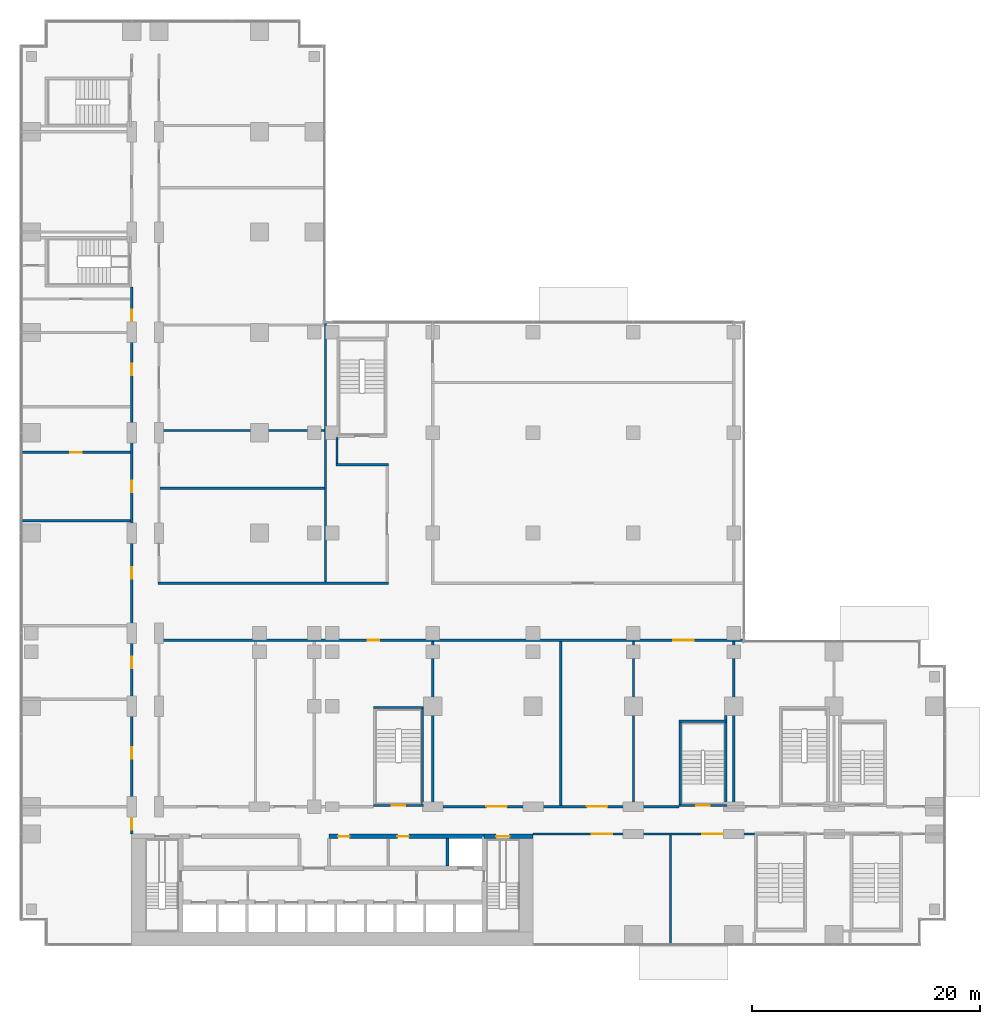
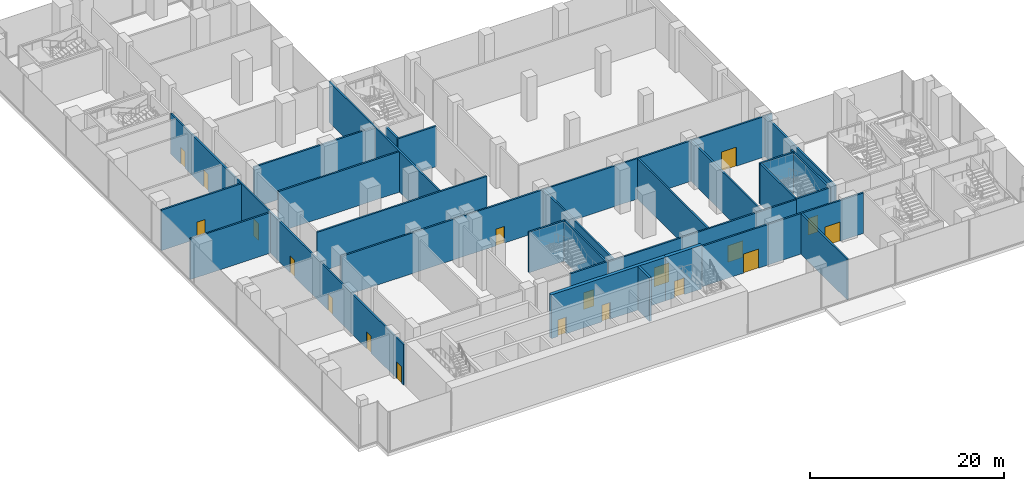
# One storey, part 19 of 30: 27 walls, 19 doors, 19 openings.
"""IFC4 building model written with IfcOpenShell, lengths in metres."""

from ifc_helpers import new_model, si_unit, direction, frame, frame_2d, origin, place, context, subcontext, project, spatial, rectangle, extrude, material, layer, layer_set, type_object, element, fill, save


model = new_model("IFC4")

# Units and contexts
model_context = context("Model", 3, precision=1e-05, world=origin(), true_north=direction((0.0, 1.0)))
body_context = subcontext(model_context, "Body", "Model", "MODEL_VIEW")
ifc_project = project(units=[si_unit("LENGTHUNIT", "METRE"), si_unit("AREAUNIT", "SQUARE_METRE"), si_unit("VOLUMEUNIT", "CUBIC_METRE"), si_unit("PLANEANGLEUNIT", "RADIAN"), si_unit("MASSUNIT", "GRAM", prefix="KILO")], contexts=[model_context])

# Site, building, storey
site_placement = place(None, origin())
site = spatial("IfcSite", under=ifc_project, at=site_placement, CompositionType="ELEMENT")
building_placement = place(site_placement, origin())
building = spatial("IfcBuilding", under=site, at=building_placement, Name="Kemantara Hotel Tower", CompositionType="ELEMENT")
storey_placement = place(building_placement, frame((0.0, 0.0, 7.5)))
storey = spatial("IfcBuildingStorey", under=building, at=storey_placement, Name="L01", CompositionType="ELEMENT", Elevation=7.5)

# Wall
ifc_material_1 = material(Name="Concrete fc 70 MPa", Category="concrete")
ifc_layer_1 = layer(ifc_material_1, 0.25)
ifc_layer_set_1 = layer_set([ifc_layer_1], Name="Concrete fc 70 MPa")
wall_type_1 = type_object("IfcWallType", Name="CORE WALL 250 FC70", PredefinedType="SHEAR", material=ifc_layer_set_1)
wall_1_placement = place(storey_placement, frame((37.5, 7.0, 0.0), z_axis=(0.0, 0.0, 1.0), x_axis=(0.0, 1.0, 0.0)))
element("IfcWall", 1, at=wall_1_placement, inside=storey, type_object=wall_type_1, Name="CORE WALL CW-DN37.5", PredefinedType="SHEAR", context=body_context, shape_type="SweptSolid", body=[
    extrude(rectangle(XDim=2.39990234375, YDim=0.25, at=frame_2d((1.199951171875, 0.0))), origin(), (0.0, 0.0, 1.0), 5.5),
])

# Wall, opening, door
ifc_layer_2 = layer(ifc_material_1, 0.39990234375)
ifc_layer_set_2 = layer_set([ifc_layer_2], Name="Concrete fc 70 MPa")
wall_type_2 = type_object("IfcWallType", Name="CORE WALL 400 FC70", PredefinedType="SHEAR", material=ifc_layer_set_2)
wall_2_placement = place(storey_placement, frame((40.699951171875, 9.60009765625, 0.0), z_axis=(0.0, 0.0, 1.0), x_axis=(1.0, 0.0, 0.0)))
wall_2 = element("IfcWall", 2, at=wall_2_placement, inside=storey, type_object=wall_type_2, Name="CORE WALL CW-N2", PredefinedType="SHEAR", context=body_context, shape_type="SweptSolid", body=[
    extrude(rectangle(XDim=4.300048828125, YDim=0.39990234375, at=frame_2d((2.14990234375, 0.0))), origin(), (0.0, 0.0, 1.0), 5.5),
])
opening_1_placement = place(wall_2_placement, frame((1.050048828125, 0.0, 0.0)))
opening_1 = element("IfcOpeningElement", 3, at=opening_1_placement, cuts=wall_2, Name="Opening C04-ST2-C", PredefinedType="OPENING", context=body_context, shape_type="SweptSolid", body=[
    extrude(rectangle(XDim=1.199951171875, YDim=2.10009765625, at=frame_2d((0.60009765625, 1.050048828125))), frame((0.0, 0.2099609375, 0.0), z_axis=(0.0, -1.0, 0.0), x_axis=(1.0, 0.0, 0.0)), (0.0, 0.0, 1.0), 0.419921875),
])
ifc_material_2 = material(Name="Steel fire door", Category="steel")
door_type_1 = type_object("IfcDoorType", Name="Fire door FD90 1200 x 2100", OperationType="NOTDEFINED", PredefinedType="DOOR", material=ifc_material_2)
door_1_placement = place(opening_1_placement, frame((1.199951171875, 0.0, 0.0), z_axis=(0.0, 0.0, 1.0), x_axis=(-1.0, 0.0, 0.0)))
door_1 = element("IfcDoor", 4, at=door_1_placement, inside=storey, type_object=door_type_1, Name="Stair ST2 door to corridor", OperationType="SINGLE_SWING_RIGHT", OverallHeight=2.10009765625, OverallWidth=1.199951171875, PredefinedType="DOOR", context=body_context, shape_type="SweptSolid", body=[
    extrude(rectangle(XDim=1.199951171875, YDim=2.10009765625, at=frame_2d((0.60009765625, 1.050048828125))), frame((0.0, 0.02490234375, 0.0), z_axis=(0.0, -1.0, 0.0), x_axis=(1.0, 0.0, 0.0)), (0.0, 0.0, 1.0), 0.050048828125),
])
fill(opening_1, door_1)

# Wall, openings, doors
wall_3_placement = place(storey_placement, frame((27.10009765625, 9.60009765625, 0.0), z_axis=(0.0, 0.0, 1.0), x_axis=(1.0, 0.0, 0.0)))
wall_3 = element("IfcWall", 5, at=wall_3_placement, inside=storey, type_object=wall_type_2, Name="CORE WALL CW-NN2", PredefinedType="SHEAR", context=body_context, shape_type="SweptSolid", body=[
    extrude(rectangle(XDim=13.599853515625, YDim=0.39990234375, at=frame_2d((6.7998046875, 0.0))), origin(), (0.0, 0.0, 1.0), 5.5),
])
opening_2_placement = place(wall_3_placement, frame((0.800048828125, 0.0, 0.0)))
opening_2 = element("IfcOpeningElement", 6, at=opening_2_placement, cuts=wall_3, Name="Opening C04-R-NE1", PredefinedType="OPENING", context=body_context, shape_type="SweptSolid", body=[
    extrude(rectangle(XDim=1.0, YDim=2.10009765625, at=frame_2d((0.5, 1.050048828125))), frame((0.0, 0.2099609375, 0.0), z_axis=(0.0, -1.0, 0.0), x_axis=(1.0, 0.0, 0.0)), (0.0, 0.0, 1.0), 0.419921875),
])
opening_3_placement = place(wall_3_placement, frame((6.0, 0.0, 0.0)))
opening_3 = element("IfcOpeningElement", 7, at=opening_3_placement, cuts=wall_3, Name="Opening C04-R-NE2", PredefinedType="OPENING", context=body_context, shape_type="SweptSolid", body=[
    extrude(rectangle(XDim=1.0, YDim=2.10009765625, at=frame_2d((0.5, 1.050048828125))), frame((0.0, 0.2099609375, 0.0), z_axis=(0.0, -1.0, 0.0), x_axis=(1.0, 0.0, 0.0)), (0.0, 0.0, 1.0), 0.419921875),
])
door_type_2 = type_object("IfcDoorType", Name="Fire door FD30S 1000 x 2100", OperationType="NOTDEFINED", PredefinedType="DOOR", material=ifc_material_2)
door_2_placement = place(opening_2_placement, frame((1.0, 0.0, 0.0), z_axis=(0.0, 0.0, 1.0), x_axis=(-1.0, 0.0, 0.0)))
door_2 = element("IfcDoor", 8, at=door_2_placement, inside=storey, type_object=door_type_2, Name="Staff Lounge door", OperationType="SINGLE_SWING_RIGHT", OverallHeight=2.10009765625, OverallWidth=1.0, PredefinedType="DOOR", context=body_context, shape_type="SweptSolid", body=[
    extrude(rectangle(XDim=1.0, YDim=2.10009765625, at=frame_2d((0.5, 1.050048828125))), frame((0.0, 0.02490234375, 0.0), z_axis=(0.0, -1.0, 0.0), x_axis=(1.0, 0.0, 0.0)), (0.0, 0.0, 1.0), 0.050048828125),
])
fill(opening_2, door_2)
door_type_3 = type_object("IfcDoorType", Name="Fire door FD60 1000 x 2100", OperationType="NOTDEFINED", PredefinedType="DOOR", material=ifc_material_2)
door_3_placement = place(opening_3_placement, frame((1.0, 0.0, 0.0), z_axis=(0.0, 0.0, 1.0), x_axis=(-1.0, 0.0, 0.0)))
door_3 = element("IfcDoor", 9, at=door_3_placement, inside=storey, type_object=door_type_3, Name="It Equipment Room door", OperationType="SINGLE_SWING_RIGHT", OverallHeight=2.10009765625, OverallWidth=1.0, PredefinedType="DOOR", context=body_context, shape_type="SweptSolid", body=[
    extrude(rectangle(XDim=1.0, YDim=2.10009765625, at=frame_2d((0.5, 1.050048828125))), frame((0.0, 0.02490234375, 0.0), z_axis=(0.0, -1.0, 0.0), x_axis=(1.0, 0.0, 0.0)), (0.0, 0.0, 1.0), 0.050048828125),
])
fill(opening_3, door_3)

# Wall, opening, door
ifc_material_3 = material(Name="Concrete fc 40 MPa", Category="concrete")
ifc_layer_3 = layer(ifc_material_3, 0.199951171875)
ifc_layer_set_3 = layer_set([ifc_layer_3], Name="Concrete fc 40 MPa")
wall_type_3 = type_object("IfcWallType", Name="Concrete stair wall 200 mm", PredefinedType="SHEAR", material=ifc_layer_set_3)
wall_4_placement = place(storey_placement, frame((57.800048828125, 12.300048828125, 0.0), z_axis=(0.0, 0.0, 1.0), x_axis=(1.0, 0.0, 0.0)))
wall_4 = element("IfcWall", 10, at=wall_4_placement, inside=storey, type_object=wall_type_3, Name="Stair ST3 enclosure wall with door", PredefinedType="SHEAR", context=body_context, shape_type="SweptSolid", body=[
    extrude(rectangle(XDim=4.199951171875, YDim=0.199951171875, at=frame_2d((2.10009765625, 0.0))), origin(), (0.0, 0.0, 1.0), 5.10009765625),
])
opening_4_placement = place(wall_4_placement, frame((1.5, 0.0, 0.0)))
opening_4 = element("IfcOpeningElement", 11, at=opening_4_placement, cuts=wall_4, Name="Opening ST3-C", PredefinedType="OPENING", context=body_context, shape_type="SweptSolid", body=[
    extrude(rectangle(XDim=1.199951171875, YDim=2.10009765625, at=frame_2d((0.60009765625, 1.050048828125))), frame((0.0, 0.10986328125, 0.0), z_axis=(0.0, -1.0, 0.0), x_axis=(1.0, 0.0, 0.0)), (0.0, 0.0, 1.0), 0.219970703125),
])
door_4_placement = place(opening_4_placement, origin())
door_4 = element("IfcDoor", 12, at=door_4_placement, inside=storey, type_object=door_type_1, Name="Stair ST3 door", OperationType="SINGLE_SWING_RIGHT", OverallHeight=2.10009765625, OverallWidth=1.199951171875, PredefinedType="DOOR", context=body_context, shape_type="SweptSolid", body=[
    extrude(rectangle(XDim=1.199951171875, YDim=2.10009765625, at=frame_2d((0.60009765625, 1.050048828125))), frame((0.0, 0.02490234375, 0.0), z_axis=(0.0, -1.0, 0.0), x_axis=(1.0, 0.0, 0.0)), (0.0, 0.0, 1.0), 0.050048828125),
])
fill(opening_4, door_4)

# Walls
wall_5_placement = place(storey_placement, frame((57.800048828125, 19.699951171875, 0.0), z_axis=(0.0, 0.0, 1.0), x_axis=(1.0, 0.0, 0.0)))
element("IfcWall", 13, at=wall_5_placement, inside=storey, type_object=wall_type_3, Name="Stair ST3 enclosure wall N", PredefinedType="SHEAR", context=body_context, shape_type="SweptSolid", body=[
    extrude(rectangle(XDim=4.199951171875, YDim=0.199951171875, at=frame_2d((2.10009765625, 0.0))), origin(), (0.0, 0.0, 1.0), 5.10009765625),
])
wall_6_placement = place(storey_placement, frame((57.89990234375, 12.39990234375, 0.0), z_axis=(0.0, 0.0, 1.0), x_axis=(0.0, 1.0, 0.0)))
element("IfcWall", 14, at=wall_6_placement, inside=storey, type_object=wall_type_3, Name="Stair ST3 enclosure wall W", PredefinedType="SHEAR", context=body_context, shape_type="SweptSolid", body=[
    extrude(rectangle(XDim=7.2001953125, YDim=0.199951171875, at=frame_2d((3.60009765625, 0.0))), origin(), (0.0, 0.0, 1.0), 5.10009765625),
])
wall_7_placement = place(storey_placement, frame((61.89990234375, 12.39990234375, 0.0), z_axis=(0.0, 0.0, 1.0), x_axis=(0.0, 1.0, 0.0)))
element("IfcWall", 15, at=wall_7_placement, inside=storey, type_object=wall_type_3, Name="Stair ST3 enclosure wall E", PredefinedType="SHEAR", context=body_context, shape_type="SweptSolid", body=[
    extrude(rectangle(XDim=7.800048828125, YDim=0.199951171875, at=frame_2d((3.89990234375, 0.0))), origin(), (0.0, 0.0, 1.0), 5.10009765625),
])

# Wall, opening, door
wall_8_placement = place(storey_placement, frame((31.0, 12.300048828125, 0.0), z_axis=(0.0, 0.0, 1.0), x_axis=(1.0, 0.0, 0.0)))
wall_8 = element("IfcWall", 16, at=wall_8_placement, inside=storey, type_object=wall_type_3, Name="Stair PS3 enclosure wall with door", PredefinedType="SHEAR", context=body_context, shape_type="SweptSolid", body=[
    extrude(rectangle(XDim=4.39990234375, YDim=0.199951171875, at=frame_2d((2.199951171875, 0.0))), origin(), (0.0, 0.0, 1.0), 5.10009765625),
])
opening_5_placement = place(wall_8_placement, frame((1.60009765625, 0.0, 0.0)))
opening_5 = element("IfcOpeningElement", 17, at=opening_5_placement, cuts=wall_8, Name="Opening PS3-C", PredefinedType="OPENING", context=body_context, shape_type="SweptSolid", body=[
    extrude(rectangle(XDim=1.199951171875, YDim=2.10009765625, at=frame_2d((0.60009765625, 1.050048828125))), frame((0.0, 0.10986328125, 0.0), z_axis=(0.0, -1.0, 0.0), x_axis=(1.0, 0.0, 0.0)), (0.0, 0.0, 1.0), 0.219970703125),
])
door_5_placement = place(opening_5_placement, origin())
door_5 = element("IfcDoor", 18, at=door_5_placement, inside=storey, type_object=door_type_1, Name="Stair PS3 door", OperationType="SINGLE_SWING_LEFT", OverallHeight=2.10009765625, OverallWidth=1.199951171875, PredefinedType="DOOR", context=body_context, shape_type="SweptSolid", body=[
    extrude(rectangle(XDim=1.199951171875, YDim=2.10009765625, at=frame_2d((0.60009765625, 1.050048828125))), frame((0.0, 0.02490234375, 0.0), z_axis=(0.0, -1.0, 0.0), x_axis=(1.0, 0.0, 0.0)), (0.0, 0.0, 1.0), 0.050048828125),
])
fill(opening_5, door_5)

# Walls
wall_9_placement = place(storey_placement, frame((31.0, 20.89990234375, 0.0), z_axis=(0.0, 0.0, 1.0), x_axis=(1.0, 0.0, 0.0)))
element("IfcWall", 19, at=wall_9_placement, inside=storey, type_object=wall_type_3, Name="Stair PS3 enclosure wall N", PredefinedType="SHEAR", context=body_context, shape_type="SweptSolid", body=[
    extrude(rectangle(XDim=4.39990234375, YDim=0.199951171875, at=frame_2d((2.199951171875, 0.0))), origin(), (0.0, 0.0, 1.0), 5.10009765625),
])
wall_10_placement = place(storey_placement, frame((35.300048828125, 12.39990234375, 0.0), z_axis=(0.0, 0.0, 1.0), x_axis=(0.0, 1.0, 0.0)))
element("IfcWall", 20, at=wall_10_placement, inside=storey, type_object=wall_type_3, Name="Stair PS3 enclosure wall E", PredefinedType="SHEAR", context=body_context, shape_type="SweptSolid", body=[
    extrude(rectangle(XDim=8.400146484375, YDim=0.199951171875, at=frame_2d((4.2001953125, 0.0))), origin(), (0.0, 0.0, 1.0), 5.10009765625),
])

# Wall, openings, doors
ifc_material_4 = material(Name="Fire-rated gypsum board partition")
ifc_layer_4 = layer(ifc_material_4, 0.199951171875)
ifc_layer_set_4 = layer_set([ifc_layer_4], Name="Fire-rated gypsum board partition")
wall_type_4 = type_object("IfcWallType", Name="FIRE-RATED GYPSUM PARTITION 200 EI 60", PredefinedType="PARTITIONING", material=ifc_layer_set_4)
wall_11_placement = place(storey_placement, frame((45.0, 9.800048828125, 0.0), z_axis=(0.0, 0.0, 1.0), x_axis=(1.0, 0.0, 0.0)))
wall_11 = element("IfcWall", 21, at=wall_11_placement, inside=storey, type_object=wall_type_4, Name="FIRE-RATED PARTITION", PredefinedType="PARTITIONING", context=body_context, shape_type="SweptSolid", body=[
    extrude(rectangle(XDim=19.39990234375, YDim=0.199951171875, at=frame_2d((9.699951171875, 0.0))), origin(), (0.0, 0.0, 1.0), 5.10009765625),
])
opening_6_placement = place(wall_11_placement, frame((5.1298828125, 0.0, 0.0)))
opening_6 = element("IfcOpeningElement", 22, at=opening_6_placement, cuts=wall_11, Name="Opening L01-B004", PredefinedType="OPENING", context=body_context, shape_type="SweptSolid", body=[
    extrude(rectangle(XDim=1.800048828125, YDim=2.39990234375, at=frame_2d((0.89990234375, 1.199951171875))), frame((0.0, 0.10986328125, 0.0), z_axis=(0.0, -1.0, 0.0), x_axis=(1.0, 0.0, 0.0)), (0.0, 0.0, 1.0), 0.219970703125),
])
opening_7_placement = place(wall_11_placement, frame((14.830078125, 0.0, 0.0)))
opening_7 = element("IfcOpeningElement", 23, at=opening_7_placement, cuts=wall_11, Name="Opening L01-B005", PredefinedType="OPENING", context=body_context, shape_type="SweptSolid", body=[
    extrude(rectangle(XDim=1.800048828125, YDim=2.39990234375, at=frame_2d((0.89990234375, 1.199951171875))), frame((0.0, 0.10986328125, 0.0), z_axis=(0.0, -1.0, 0.0), x_axis=(1.0, 0.0, 0.0)), (0.0, 0.0, 1.0), 0.219970703125),
])
ifc_material_5 = material(Name="Toughened glass door leaf", Category="glass")
door_type_4 = type_object("IfcDoorType", Name="GLAZED DOUBLE DOOR 1800 X 2400", OperationType="DOUBLE_DOOR_SINGLE_SWING", PredefinedType="DOOR", material=ifc_material_5)
door_6_placement = place(opening_6_placement, origin())
door_6 = element("IfcDoor", 24, at=door_6_placement, inside=storey, type_object=door_type_4, Name="GLAZED DOUBLE DOOR", OperationType="DOUBLE_DOOR_SINGLE_SWING", OverallHeight=2.39990234375, OverallWidth=1.800048828125, PredefinedType="DOOR", context=body_context, shape_type="SweptSolid", body=[
    extrude(rectangle(XDim=1.800048828125, YDim=2.39990234375, at=frame_2d((0.89990234375, 1.199951171875))), frame((0.0, 0.02490234375, 0.0), z_axis=(0.0, -1.0, 0.0), x_axis=(1.0, 0.0, 0.0)), (0.0, 0.0, 1.0), 0.050048828125),
])
fill(opening_6, door_6)
door_7_placement = place(opening_7_placement, origin())
door_7 = element("IfcDoor", 25, at=door_7_placement, inside=storey, type_object=door_type_4, Name="GLAZED DOUBLE DOOR", OperationType="DOUBLE_DOOR_SINGLE_SWING", OverallHeight=2.39990234375, OverallWidth=1.800048828125, PredefinedType="DOOR", context=body_context, shape_type="SweptSolid", body=[
    extrude(rectangle(XDim=1.800048828125, YDim=2.39990234375, at=frame_2d((0.89990234375, 1.199951171875))), frame((0.0, 0.02490234375, 0.0), z_axis=(0.0, -1.0, 0.0), x_axis=(1.0, 0.0, 0.0)), (0.0, 0.0, 1.0), 0.050048828125),
])
fill(opening_7, door_7)

wall_12_placement = place(storey_placement, frame((35.39990234375, 12.199951171875, 0.0), z_axis=(0.0, 0.0, 1.0), x_axis=(1.0, 0.0, 0.0)))
wall_12 = element("IfcWall", 26, at=wall_12_placement, inside=storey, type_object=wall_type_4, Name="FIRE-RATED PARTITION", PredefinedType="PARTITIONING", context=body_context, shape_type="SweptSolid", body=[
    extrude(rectangle(XDim=22.400146484375, YDim=0.199951171875, at=frame_2d((11.2001953125, 0.0))), origin(), (0.0, 0.0, 1.0), 5.10009765625),
])
opening_8_placement = place(wall_12_placement, frame((5.510009765625, 0.0, 0.0)))
opening_8 = element("IfcOpeningElement", 27, at=opening_8_placement, cuts=wall_12, Name="Opening L01-B026", PredefinedType="OPENING", context=body_context, shape_type="SweptSolid", body=[
    extrude(rectangle(XDim=1.800048828125, YDim=2.39990234375, at=frame_2d((0.89990234375, 1.199951171875))), frame((0.0, 0.10986328125, 0.0), z_axis=(0.0, -1.0, 0.0), x_axis=(1.0, 0.0, 0.0)), (0.0, 0.0, 1.0), 0.219970703125),
])
opening_9_placement = place(wall_12_placement, frame((14.31005859375, 0.0, 0.0)))
opening_9 = element("IfcOpeningElement", 28, at=opening_9_placement, cuts=wall_12, Name="Opening L01-B027", PredefinedType="OPENING", context=body_context, shape_type="SweptSolid", body=[
    extrude(rectangle(XDim=1.800048828125, YDim=2.10009765625, at=frame_2d((0.89990234375, 1.050048828125))), frame((0.0, 0.10986328125, 0.0), z_axis=(0.0, -1.0, 0.0), x_axis=(1.0, 0.0, 0.0)), (0.0, 0.0, 1.0), 0.219970703125),
])
ifc_material_6 = material(Name="Timber veneer door leaf", Category="wood")
door_type_5 = type_object("IfcDoorType", Name="DOUBLE LEAF TIMBER DOOR 1800 X 2100", OperationType="DOUBLE_DOOR_SINGLE_SWING", PredefinedType="DOOR", material=ifc_material_6)
door_8_placement = place(opening_9_placement, frame((1.800048828125, 0.0, 0.0), z_axis=(0.0, 0.0, 1.0), x_axis=(-1.0, 0.0, 0.0)))
door_8 = element("IfcDoor", 29, at=door_8_placement, inside=storey, type_object=door_type_5, Name="DOUBLE LEAF TIMBER DOOR", OperationType="DOUBLE_DOOR_SINGLE_SWING", OverallHeight=2.10009765625, OverallWidth=1.800048828125, PredefinedType="DOOR", context=body_context, shape_type="SweptSolid", body=[
    extrude(rectangle(XDim=1.800048828125, YDim=2.10009765625, at=frame_2d((0.89990234375, 1.050048828125))), frame((0.0, 0.02490234375, 0.0), z_axis=(0.0, -1.0, 0.0), x_axis=(1.0, 0.0, 0.0)), (0.0, 0.0, 1.0), 0.050048828125),
])
fill(opening_9, door_8)
door_9_placement = place(opening_8_placement, frame((1.800048828125, 0.0, 0.0), z_axis=(0.0, 0.0, 1.0), x_axis=(-1.0, 0.0, 0.0)))
door_9 = element("IfcDoor", 30, at=door_9_placement, inside=storey, type_object=door_type_4, Name="GLAZED DOUBLE DOOR", OperationType="DOUBLE_DOOR_SINGLE_SWING", OverallHeight=2.39990234375, OverallWidth=1.800048828125, PredefinedType="DOOR", context=body_context, shape_type="SweptSolid", body=[
    extrude(rectangle(XDim=1.800048828125, YDim=2.39990234375, at=frame_2d((0.89990234375, 1.199951171875))), frame((0.0, 0.02490234375, 0.0), z_axis=(0.0, -1.0, 0.0), x_axis=(1.0, 0.0, 0.0)), (0.0, 0.0, 1.0), 0.050048828125),
])
fill(opening_8, door_9)

wall_13_placement = place(storey_placement, frame((9.800048828125, 9.800048828125, 0.0), z_axis=(0.0, 0.0, 1.0), x_axis=(0.0, 1.0, 0.0)))
wall_13 = element("IfcWall", 31, at=wall_13_placement, inside=storey, type_object=wall_type_4, Name="FIRE-RATED PARTITION", PredefinedType="PARTITIONING", context=body_context, shape_type="SweptSolid", body=[
    extrude(rectangle(XDim=48.0, YDim=0.199951171875, at=frame_2d((24.0, 0.0))), origin(), (0.0, 0.0, 1.0), 5.10009765625),
])
opening_10_placement = place(wall_13_placement, frame((6.610107421875, 0.0, 0.0)))
opening_10 = element("IfcOpeningElement", 32, at=opening_10_placement, cuts=wall_13, Name="Opening L01-B008", PredefinedType="OPENING", context=body_context, shape_type="SweptSolid", body=[
    extrude(rectangle(XDim=1.0, YDim=2.10009765625, at=frame_2d((0.5, 1.050048828125))), frame((0.0, 0.10986328125, 0.0), z_axis=(0.0, -1.0, 0.0), x_axis=(1.0, 0.0, 0.0)), (0.0, 0.0, 1.0), 0.219970703125),
])
opening_11_placement = place(wall_13_placement, frame((14.544921875, 0.0, 0.0)))
opening_11 = element("IfcOpeningElement", 33, at=opening_11_placement, cuts=wall_13, Name="Opening L01-B009", PredefinedType="OPENING", context=body_context, shape_type="SweptSolid", body=[
    extrude(rectangle(XDim=1.0, YDim=2.10009765625, at=frame_2d((0.5, 1.050048828125))), frame((0.0, 0.10986328125, 0.0), z_axis=(0.0, -1.0, 0.0), x_axis=(1.0, 0.0, 0.0)), (0.0, 0.0, 1.0), 0.219970703125),
])
opening_12_placement = place(wall_13_placement, frame((22.3798828125, 0.0, 0.0)))
opening_12 = element("IfcOpeningElement", 34, at=opening_12_placement, cuts=wall_13, Name="Opening L01-B010", PredefinedType="OPENING", context=body_context, shape_type="SweptSolid", body=[
    extrude(rectangle(XDim=1.0, YDim=2.10009765625, at=frame_2d((0.5, 1.050048828125))), frame((0.0, 0.10986328125, 0.0), z_axis=(0.0, -1.0, 0.0), x_axis=(1.0, 0.0, 0.0)), (0.0, 0.0, 1.0), 0.219970703125),
])
opening_13_placement = place(wall_13_placement, frame((29.98388671875, 0.0, 0.0)))
opening_13 = element("IfcOpeningElement", 35, at=opening_13_placement, cuts=wall_13, Name="Opening L01-B011", PredefinedType="OPENING", context=body_context, shape_type="SweptSolid", body=[
    extrude(rectangle(XDim=1.0, YDim=2.10009765625, at=frame_2d((0.5, 1.050048828125))), frame((0.0, 0.10986328125, 0.0), z_axis=(0.0, -1.0, 0.0), x_axis=(1.0, 0.0, 0.0)), (0.0, 0.0, 1.0), 0.219970703125),
])
opening_14_placement = place(wall_13_placement, frame((40.235107421875, 0.0, 0.0)))
opening_14 = element("IfcOpeningElement", 36, at=opening_14_placement, cuts=wall_13, Name="Opening L01-B012", PredefinedType="OPENING", context=body_context, shape_type="SweptSolid", body=[
    extrude(rectangle(XDim=1.0, YDim=2.10009765625, at=frame_2d((0.5, 1.050048828125))), frame((0.0, 0.10986328125, 0.0), z_axis=(0.0, -1.0, 0.0), x_axis=(1.0, 0.0, 0.0)), (0.0, 0.0, 1.0), 0.219970703125),
])
opening_15_placement = place(wall_13_placement, frame((44.966796875, 0.0, 0.0)))
opening_15 = element("IfcOpeningElement", 37, at=opening_15_placement, cuts=wall_13, Name="Opening L01-B013", PredefinedType="OPENING", context=body_context, shape_type="SweptSolid", body=[
    extrude(rectangle(XDim=1.0, YDim=2.10009765625, at=frame_2d((0.5, 1.050048828125))), frame((0.0, 0.10986328125, 0.0), z_axis=(0.0, -1.0, 0.0), x_axis=(1.0, 0.0, 0.0)), (0.0, 0.0, 1.0), 0.219970703125),
])
opening_16_placement = place(wall_13_placement, frame((0.39990234375, 0.0, 0.0)))
opening_16 = element("IfcOpeningElement", 38, at=opening_16_placement, cuts=wall_13, Name="Opening L01-B022", PredefinedType="OPENING", context=body_context, shape_type="SweptSolid", body=[
    extrude(rectangle(XDim=1.0, YDim=2.10009765625, at=frame_2d((0.5, 1.050048828125))), frame((0.0, 0.10986328125, 0.0), z_axis=(0.0, -1.0, 0.0), x_axis=(1.0, 0.0, 0.0)), (0.0, 0.0, 1.0), 0.219970703125),
])
ifc_material_7 = material(Name="Galvanised steel door leaf", Category="steel")
door_type_6 = type_object("IfcDoorType", Name="FIRE-RATED STEEL DOOR 1000 X 2100", OperationType="SINGLE_SWING_LEFT", PredefinedType="DOOR", material=ifc_material_7)
door_10_placement = place(opening_16_placement, frame((1.0, 0.0, 0.0), z_axis=(0.0, 0.0, 1.0), x_axis=(-1.0, 0.0, 0.0)))
door_10 = element("IfcDoor", 39, at=door_10_placement, inside=storey, type_object=door_type_6, Name="FIRE-RATED STEEL DOOR", OperationType="SINGLE_SWING_RIGHT", OverallHeight=2.10009765625, OverallWidth=1.0, PredefinedType="DOOR", context=body_context, shape_type="SweptSolid", body=[
    extrude(rectangle(XDim=1.0, YDim=2.10009765625, at=frame_2d((0.5, 1.050048828125))), frame((0.0, 0.02490234375, 0.0), z_axis=(0.0, -1.0, 0.0), x_axis=(1.0, 0.0, 0.0)), (0.0, 0.0, 1.0), 0.050048828125),
])
fill(opening_16, door_10)
door_type_7 = type_object("IfcDoorType", Name="SINGLE LEAF TIMBER DOOR 1000 X 2100", OperationType="SINGLE_SWING_LEFT", PredefinedType="DOOR", material=ifc_material_6)
door_11_placement = place(opening_10_placement, origin())
door_11 = element("IfcDoor", 40, at=door_11_placement, inside=storey, type_object=door_type_7, Name="SINGLE LEAF TIMBER DOOR", OperationType="SINGLE_SWING_LEFT", OverallHeight=2.10009765625, OverallWidth=1.0, PredefinedType="DOOR", context=body_context, shape_type="SweptSolid", body=[
    extrude(rectangle(XDim=1.0, YDim=2.10009765625, at=frame_2d((0.5, 1.050048828125))), frame((0.0, 0.02490234375, 0.0), z_axis=(0.0, -1.0, 0.0), x_axis=(1.0, 0.0, 0.0)), (0.0, 0.0, 1.0), 0.050048828125),
])
fill(opening_10, door_11)
door_12_placement = place(opening_11_placement, origin())
door_12 = element("IfcDoor", 41, at=door_12_placement, inside=storey, type_object=door_type_7, Name="SINGLE LEAF TIMBER DOOR", OperationType="SINGLE_SWING_LEFT", OverallHeight=2.10009765625, OverallWidth=1.0, PredefinedType="DOOR", context=body_context, shape_type="SweptSolid", body=[
    extrude(rectangle(XDim=1.0, YDim=2.10009765625, at=frame_2d((0.5, 1.050048828125))), frame((0.0, 0.02490234375, 0.0), z_axis=(0.0, -1.0, 0.0), x_axis=(1.0, 0.0, 0.0)), (0.0, 0.0, 1.0), 0.050048828125),
])
fill(opening_11, door_12)
door_13_placement = place(opening_12_placement, origin())
door_13 = element("IfcDoor", 42, at=door_13_placement, inside=storey, type_object=door_type_7, Name="SINGLE LEAF TIMBER DOOR", OperationType="SINGLE_SWING_LEFT", OverallHeight=2.10009765625, OverallWidth=1.0, PredefinedType="DOOR", context=body_context, shape_type="SweptSolid", body=[
    extrude(rectangle(XDim=1.0, YDim=2.10009765625, at=frame_2d((0.5, 1.050048828125))), frame((0.0, 0.02490234375, 0.0), z_axis=(0.0, -1.0, 0.0), x_axis=(1.0, 0.0, 0.0)), (0.0, 0.0, 1.0), 0.050048828125),
])
fill(opening_12, door_13)
door_14_placement = place(opening_13_placement, origin())
door_14 = element("IfcDoor", 43, at=door_14_placement, inside=storey, type_object=door_type_7, Name="SINGLE LEAF TIMBER DOOR", OperationType="SINGLE_SWING_RIGHT", OverallHeight=2.10009765625, OverallWidth=1.0, PredefinedType="DOOR", context=body_context, shape_type="SweptSolid", body=[
    extrude(rectangle(XDim=1.0, YDim=2.10009765625, at=frame_2d((0.5, 1.050048828125))), frame((0.0, 0.02490234375, 0.0), z_axis=(0.0, -1.0, 0.0), x_axis=(1.0, 0.0, 0.0)), (0.0, 0.0, 1.0), 0.050048828125),
])
fill(opening_13, door_14)
door_15_placement = place(opening_14_placement, origin())
door_15 = element("IfcDoor", 44, at=door_15_placement, inside=storey, type_object=door_type_7, Name="SINGLE LEAF TIMBER DOOR", OperationType="SINGLE_SWING_RIGHT", OverallHeight=2.10009765625, OverallWidth=1.0, PredefinedType="DOOR", context=body_context, shape_type="SweptSolid", body=[
    extrude(rectangle(XDim=1.0, YDim=2.10009765625, at=frame_2d((0.5, 1.050048828125))), frame((0.0, 0.02490234375, 0.0), z_axis=(0.0, -1.0, 0.0), x_axis=(1.0, 0.0, 0.0)), (0.0, 0.0, 1.0), 0.050048828125),
])
fill(opening_14, door_15)
door_16_placement = place(opening_15_placement, origin())
door_16 = element("IfcDoor", 45, at=door_16_placement, inside=storey, type_object=door_type_7, Name="SINGLE LEAF TIMBER DOOR", OperationType="SINGLE_SWING_RIGHT", OverallHeight=2.10009765625, OverallWidth=1.0, PredefinedType="DOOR", context=body_context, shape_type="SweptSolid", body=[
    extrude(rectangle(XDim=1.0, YDim=2.10009765625, at=frame_2d((0.5, 1.050048828125))), frame((0.0, 0.02490234375, 0.0), z_axis=(0.0, -1.0, 0.0), x_axis=(1.0, 0.0, 0.0)), (0.0, 0.0, 1.0), 0.050048828125),
])
fill(opening_15, door_16)

ifc_material_8 = material(Name="Gypsum board partition")
ifc_layer_5 = layer(ifc_material_8, 0.199951171875)
ifc_layer_set_5 = layer_set([ifc_layer_5], Name="Gypsum board partition")
wall_type_5 = type_object("IfcWallType", Name="GYPSUM BOARD PARTITION 200", PredefinedType="PARTITIONING", material=ifc_layer_set_5)
wall_14_placement = place(storey_placement, frame((12.10009765625, 26.800048828125, 0.0), z_axis=(0.0, 0.0, 1.0), x_axis=(1.0, 0.0, 0.0)))
wall_14 = element("IfcWall", 46, at=wall_14_placement, inside=storey, type_object=wall_type_5, Name="PARTITION", PredefinedType="PARTITIONING", context=body_context, shape_type="SweptSolid", body=[
    extrude(rectangle(XDim=51.2998046875, YDim=0.199951171875, at=frame_2d((25.64990234375, 0.0))), origin(), (0.0, 0.0, 1.0), 5.10009765625),
])
opening_17_placement = place(wall_14_placement, frame((18.39990234375, 0.0, 0.0)))
opening_17 = element("IfcOpeningElement", 47, at=opening_17_placement, cuts=wall_14, Name="Opening L01-B025", PredefinedType="OPENING", context=body_context, shape_type="SweptSolid", body=[
    extrude(rectangle(XDim=1.0, YDim=2.10009765625, at=frame_2d((0.5, 1.050048828125))), frame((0.0, 0.10986328125, 0.0), z_axis=(0.0, -1.0, 0.0), x_axis=(1.0, 0.0, 0.0)), (0.0, 0.0, 1.0), 0.219970703125),
])
opening_18_placement = place(wall_14_placement, frame((45.199951171875, 0.0, 0.0)))
opening_18 = element("IfcOpeningElement", 48, at=opening_18_placement, cuts=wall_14, Name="Opening L01-B028", PredefinedType="OPENING", context=body_context, shape_type="SweptSolid", body=[
    extrude(rectangle(XDim=1.800048828125, YDim=2.39990234375, at=frame_2d((0.89990234375, 1.199951171875))), frame((0.0, 0.10986328125, 0.0), z_axis=(0.0, -1.0, 0.0), x_axis=(1.0, 0.0, 0.0)), (0.0, 0.0, 1.0), 0.219970703125),
])
door_17_placement = place(opening_18_placement, frame((1.800048828125, 0.0, 0.0), z_axis=(0.0, 0.0, 1.0), x_axis=(-1.0, 0.0, 0.0)))
door_17 = element("IfcDoor", 49, at=door_17_placement, inside=storey, type_object=door_type_4, Name="GLAZED DOUBLE DOOR", OperationType="DOUBLE_DOOR_SINGLE_SWING", OverallHeight=2.39990234375, OverallWidth=1.800048828125, PredefinedType="DOOR", context=body_context, shape_type="SweptSolid", body=[
    extrude(rectangle(XDim=1.800048828125, YDim=2.39990234375, at=frame_2d((0.89990234375, 1.199951171875))), frame((0.0, 0.02490234375, 0.0), z_axis=(0.0, -1.0, 0.0), x_axis=(1.0, 0.0, 0.0)), (0.0, 0.0, 1.0), 0.050048828125),
])
fill(opening_18, door_17)
door_18_placement = place(opening_17_placement, frame((1.0, 0.0, 0.0), z_axis=(0.0, 0.0, 1.0), x_axis=(-1.0, 0.0, 0.0)))
door_18 = element("IfcDoor", 50, at=door_18_placement, inside=storey, type_object=door_type_7, Name="SINGLE LEAF TIMBER DOOR", OperationType="SINGLE_SWING_RIGHT", OverallHeight=2.10009765625, OverallWidth=1.0, PredefinedType="DOOR", context=body_context, shape_type="SweptSolid", body=[
    extrude(rectangle(XDim=1.0, YDim=2.10009765625, at=frame_2d((0.5, 1.050048828125))), frame((0.0, 0.02490234375, 0.0), z_axis=(0.0, -1.0, 0.0), x_axis=(1.0, 0.0, 0.0)), (0.0, 0.0, 1.0), 0.050048828125),
])
fill(opening_17, door_18)

# Walls
wall_15_placement = place(storey_placement, frame((12.10009765625, 31.800048828125, 0.0), z_axis=(0.0, 0.0, 1.0), x_axis=(1.0, 0.0, 0.0)))
element("IfcWall", 51, at=wall_15_placement, inside=storey, type_object=wall_type_5, Name="PARTITION", PredefinedType="PARTITIONING", context=body_context, shape_type="SweptSolid", body=[
    extrude(rectangle(XDim=20.199951171875, YDim=0.199951171875, at=frame_2d((10.10009765625, 0.0))), origin(), (0.0, 0.0, 1.0), 5.10009765625),
])
wall_16_placement = place(storey_placement, frame((27.699951171875, 42.199951171875, 0.0), z_axis=(0.0, 0.0, 1.0), x_axis=(1.0, 0.0, 0.0)))
element("IfcWall", 52, at=wall_16_placement, inside=storey, type_object=wall_type_5, Name="PARTITION", PredefinedType="PARTITIONING", context=body_context, shape_type="SweptSolid", body=[
    extrude(rectangle(XDim=4.60009765625, YDim=0.199951171875, at=frame_2d((2.300048828125, 0.0))), origin(), (0.0, 0.0, 1.0), 5.10009765625),
])
wall_17_placement = place(storey_placement, frame((0.199951171875, 37.2900390625, 0.0), z_axis=(0.0, 0.0, 1.0), x_axis=(1.0, 0.0, 0.0)))
element("IfcWall", 53, at=wall_17_placement, inside=storey, type_object=wall_type_5, Name="PARTITION", PredefinedType="PARTITIONING", context=body_context, shape_type="SweptSolid", body=[
    extrude(rectangle(XDim=9.5, YDim=0.199951171875, at=frame_2d((4.75, 0.0))), origin(), (0.0, 0.0, 1.0), 5.10009765625),
])

# Wall, opening, door
wall_18_placement = place(storey_placement, frame((0.199951171875, 43.278076171875, 0.0), z_axis=(0.0, 0.0, 1.0), x_axis=(1.0, 0.0, 0.0)))
wall_18 = element("IfcWall", 54, at=wall_18_placement, inside=storey, type_object=wall_type_5, Name="PARTITION", PredefinedType="PARTITIONING", context=body_context, shape_type="SweptSolid", body=[
    extrude(rectangle(XDim=9.5, YDim=0.199951171875, at=frame_2d((4.75, 0.0))), origin(), (0.0, 0.0, 1.0), 5.10009765625),
])
opening_19_placement = place(wall_18_placement, frame((4.199951171875, 0.0, 0.0)))
opening_19 = element("IfcOpeningElement", 55, at=opening_19_placement, cuts=wall_18, Name="Opening L01-B001", PredefinedType="OPENING", context=body_context, shape_type="SweptSolid", body=[
    extrude(rectangle(XDim=1.0, YDim=2.10009765625, at=frame_2d((0.5, 1.050048828125))), frame((0.0, 0.10986328125, 0.0), z_axis=(0.0, -1.0, 0.0), x_axis=(1.0, 0.0, 0.0)), (0.0, 0.0, 1.0), 0.219970703125),
])
door_19_placement = place(opening_19_placement, origin())
door_19 = element("IfcDoor", 56, at=door_19_placement, inside=storey, type_object=door_type_7, Name="SINGLE LEAF TIMBER DOOR", OperationType="SINGLE_SWING_LEFT", OverallHeight=2.10009765625, OverallWidth=1.0, PredefinedType="DOOR", context=body_context, shape_type="SweptSolid", body=[
    extrude(rectangle(XDim=1.0, YDim=2.10009765625, at=frame_2d((0.5, 1.050048828125))), frame((0.0, 0.02490234375, 0.0), z_axis=(0.0, -1.0, 0.0), x_axis=(1.0, 0.0, 0.0)), (0.0, 0.0, 1.0), 0.050048828125),
])
fill(opening_19, door_19)

# Walls
for number, where, z_axis, x_axis, name in (
    (57, (12.300048828125, 40.1298828125, 0.0), (0.0, 0.0, 1.0), (1.0, 0.0, 0.0), "PARTITION"),
    (58, (12.300048828125, 45.199951171875, 0.0), (0.0, 0.0, 1.0), (1.0, 0.0, 0.0), "PARTITION"),
    (59, (36.199951171875, 12.300048828125, 0.0), (0.0, 0.0, 1.0), (0.0, 1.0, 0.0), "PARTITION"),
):
    element("IfcWall", number, at=place(storey_placement, frame(where, z_axis=z_axis, x_axis=x_axis)), inside=storey, type_object=wall_type_5, Name=name, PredefinedType="PARTITIONING", context=body_context, shape_type="SweptSolid", body=[
        extrude(rectangle(XDim=14.39990234375, YDim=0.199951171875, at=frame_2d((7.199951171875, 0.0))), origin(), (0.0, 0.0, 1.0), 5.10009765625),
    ])
wall_19_placement = place(storey_placement, frame((27.800048828125, 42.300048828125, 0.0), z_axis=(0.0, 0.0, 1.0), x_axis=(0.0, 1.0, 0.0)))
element("IfcWall", 60, at=wall_19_placement, inside=storey, type_object=wall_type_5, Name="PARTITION", PredefinedType="PARTITIONING", context=body_context, shape_type="SweptSolid", body=[
    extrude(rectangle(XDim=2.300048828125, YDim=0.199951171875, at=frame_2d((1.14990234375, 0.0))), origin(), (0.0, 0.0, 1.0), 5.10009765625),
])
wall_20_placement = place(storey_placement, frame((57.06005859375, 0.199951171875, 0.0), z_axis=(0.0, 0.0, 1.0), x_axis=(0.0, 1.0, 0.0)))
element("IfcWall", 61, at=wall_20_placement, inside=storey, type_object=wall_type_5, Name="PARTITION", PredefinedType="PARTITIONING", context=body_context, shape_type="SweptSolid", body=[
    extrude(rectangle(XDim=9.5, YDim=0.199951171875, at=frame_2d((4.75, 0.0))), origin(), (0.0, 0.0, 1.0), 5.10009765625),
])
for number, where, z_axis, x_axis, name in (
    (62, (47.419921875, 12.300048828125, 0.0), (0.0, 0.0, 1.0), (0.0, 1.0, 0.0), "PARTITION"),
    (63, (53.800048828125, 12.300048828125, 0.0), (0.0, 0.0, 1.0), (0.0, 1.0, 0.0), "PARTITION"),
    (64, (62.60009765625, 12.300048828125, 0.0), (0.0, 0.0, 1.0), (0.0, 1.0, 0.0), "PARTITION"),
):
    element("IfcWall", number, at=place(storey_placement, frame(where, z_axis=z_axis, x_axis=x_axis)), inside=storey, type_object=wall_type_5, Name=name, PredefinedType="PARTITIONING", context=body_context, shape_type="SweptSolid", body=[
        extrude(rectangle(XDim=14.39990234375, YDim=0.199951171875, at=frame_2d((7.199951171875, 0.0))), origin(), (0.0, 0.0, 1.0), 5.10009765625),
    ])
wall_21_placement = place(storey_placement, frame((26.800048828125, 31.89990234375, 0.0), z_axis=(0.0, 0.0, 1.0), x_axis=(0.0, 1.0, 0.0)))
element("IfcWall", 65, at=wall_21_placement, inside=storey, type_object=wall_type_5, Name="PARTITION", PredefinedType="PARTITIONING", context=body_context, shape_type="SweptSolid", body=[
    extrude(rectangle(XDim=22.7001953125, YDim=0.199951171875, at=frame_2d((11.35009765625, 0.0))), origin(), (0.0, 0.0, 1.0), 5.10009765625),
])

save(model, "model.ifc")
